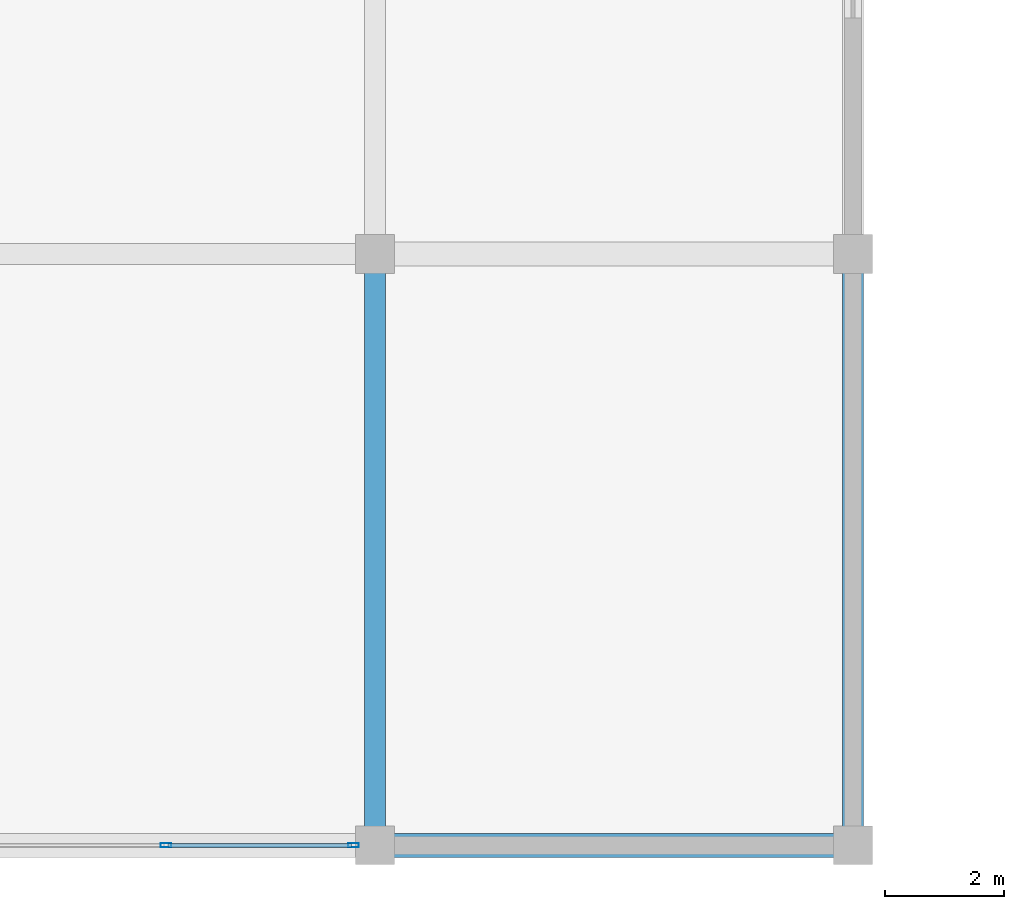
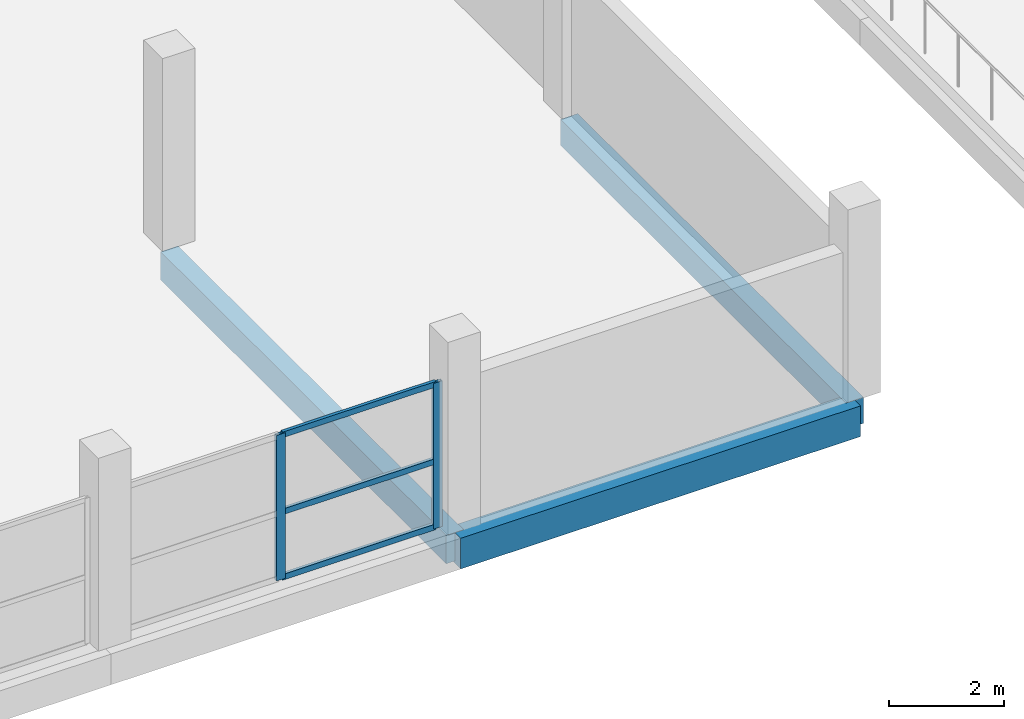
# One storey, part 4 of 53: 5 members, 3 beams, 1 element without a shape of its own.
"""IFC4 building model written with IfcOpenShell, lengths in metres."""

from ifc_helpers import new_model, si_unit, direction, frame, origin, origin_2d, place, context, subcontext, project, spatial, rectangle, hollow_rectangle, extrude, material, layer, layer_set, material_profile, profile_set, type_object, element, aggregate, save


model = new_model("IFC4")

# Units and contexts
model_context = context("Model", 3, precision=1e-05, world=origin(), true_north=direction((0.0, 1.0)))
body_context = subcontext(model_context, "Body", "Model", "MODEL_VIEW")
ifc_project = project(units=[si_unit("LENGTHUNIT", "METRE"), si_unit("AREAUNIT", "SQUARE_METRE"), si_unit("VOLUMEUNIT", "CUBIC_METRE"), si_unit("PLANEANGLEUNIT", "RADIAN"), si_unit("MASSUNIT", "GRAM", prefix="KILO")], contexts=[model_context])

# Site, building, storey
site_placement = place(None, origin())
site = spatial("IfcSite", under=ifc_project, at=site_placement, CompositionType="ELEMENT")
building_placement = place(site_placement, origin())
building = spatial("IfcBuilding", under=site, at=building_placement, Name="Sillaruma Civic Art Gallery", CompositionType="ELEMENT")
storey_placement = place(building_placement, frame((0.0, 0.0, 70.3798828125)))
storey = spatial("IfcBuildingStorey", under=building, at=storey_placement, Name="L14", CompositionType="ELEMENT", Elevation=70.3798828125)

# Beams
ifc_material_1 = material(Name="Concrete H35 (35 MPa)", Category="concrete")
ifc_material_profile_1 = material_profile(ifc_material_1, rectangle(XDim=0.35009765625, YDim=0.60009765625, at=origin_2d()), Name="RCB350x600")
ifc_profile_set_1 = profile_set([ifc_material_profile_1], Name="Concrete H35 (35 MPa)")
beam_type_1 = type_object("IfcBeamType", Name="BM-BEAM-RCB350x600", PredefinedType="BEAM", material=ifc_profile_set_1)
beam_1_placement = place(storey_placement, frame((84.0, 19.800048828125, -0.5498046875), z_axis=(0.0, 1.0, 0.0), x_axis=(-1.0, 0.0, 0.0)))
element("IfcBeam", 1, at=beam_1_placement, inside=storey, type_object=beam_type_1, Name="Beam BM-06 (L13:J:3-4)", PredefinedType="BEAM", context=body_context, shape_type="SweptSolid", body=[
    extrude(rectangle(XDim=0.35009765625, YDim=0.60009765625, at=origin_2d()), origin(), (0.0, 0.0, 1.0), 9.89990234375),
])
ifc_material_profile_2 = material_profile(ifc_material_1, rectangle(XDim=0.35009765625, YDim=0.550048828125, at=origin_2d()), Name="RCB350x550")
ifc_profile_set_2 = profile_set([ifc_material_profile_2], Name="Concrete H35 (35 MPa)")
beam_type_2 = type_object("IfcBeamType", Name="BM-SPANDREL-RCB350x550", PredefinedType="SPANDREL", material=ifc_profile_set_2)
beam_2_placement = place(storey_placement, frame((92.0, 19.800048828125, -0.52490234375), z_axis=(0.0, 1.0, 0.0), x_axis=(-1.0, 0.0, 0.0)))
element("IfcBeam", 2, at=beam_2_placement, inside=storey, type_object=beam_type_2, Name="Beam BS-04 (L13:K:3-4)", PredefinedType="SPANDREL", context=body_context, shape_type="SweptSolid", body=[
    extrude(rectangle(XDim=0.35009765625, YDim=0.550048828125, at=origin_2d()), origin(), (0.0, 0.0, 1.0), 9.89990234375),
])
ifc_material_profile_3 = material_profile(ifc_material_1, rectangle(XDim=0.39990234375, YDim=0.64990234375, at=origin_2d()), Name="RCB400x650")
ifc_profile_set_3 = profile_set([ifc_material_profile_3], Name="Concrete H35 (35 MPa)")
beam_type_3 = type_object("IfcBeamType", Name="BM-SPANDREL-RCB400x650", PredefinedType="SPANDREL", material=ifc_profile_set_3)
beam_3_placement = place(storey_placement, frame((84.0, 19.800048828125, -0.574951171875), z_axis=(1.0, 0.0, 0.0), x_axis=(0.0, 1.0, 0.0)))
element("IfcBeam", 3, at=beam_3_placement, inside=storey, type_object=beam_type_3, Name="Beam BS-02 (L13:3:J-K)", PredefinedType="SPANDREL", context=body_context, shape_type="SweptSolid", body=[
    extrude(rectangle(XDim=0.39990234375, YDim=0.64990234375, at=origin_2d()), origin(), (0.0, 0.0, 1.0), 8.0),
])

# Curtain wall, members
ifc_material_2 = material(Name="Thermally Broken Extruded Aluminium 6063-T6", Category="aluminium")
ifc_layer = layer(ifc_material_2, 0.179931640625, Name="Thermally Broken Extruded Aluminium 6063-T6")
ifc_layer_set = layer_set([ifc_layer], Name="Thermally Broken Extruded Aluminium 6063-T6")
curtain_wall_type = type_object("IfcCurtainWallType", Name="CW-UNI-109", PredefinedType="NOTDEFINED", material=ifc_layer_set)
curtain_wall_placement = place(storey_placement, origin())
curtain_wall = element("IfcCurtainWall", 4, at=curtain_wall_placement, inside=storey, type_object=curtain_wall_type, Name="Unitised Curtain Wall CW-109 (CW-L14-WBS-3)", PredefinedType="NOTDEFINED")
ifc_material_profile_4 = material_profile(ifc_material_2, hollow_rectangle(XDim=0.070068359375, YDim=0.179931640625, WallThickness=0.00390625, at=origin_2d()), Name="CWM70x180")
ifc_profile_set_4 = profile_set([ifc_material_profile_4], Name="Thermally Broken Extruded Aluminium 6063-T6")
member_type_1 = type_object("IfcMemberType", Name="MEM-MUL-CWM70x180", PredefinedType="MULLION", material=ifc_profile_set_4)
member_1_placement = place(storey_placement, frame((80.5, 19.800048828125, 0.0), z_axis=(0.0, 0.0, 1.0), x_axis=(0.0, 1.0, 0.0)))
member_1 = element("IfcMember", 5, at=member_1_placement, type_object=member_type_1, Name="CW-109 mullion 2", PredefinedType="MULLION", context=body_context, shape_type="SweptSolid", body=[
    extrude(hollow_rectangle(XDim=0.070068359375, YDim=0.179931640625, WallThickness=0.00390625, at=origin_2d()), origin(), (0.0, 0.0, 1.0), 3.080078125),
])
member_2_placement = place(storey_placement, frame((83.639892578125, 19.800048828125, 0.0), z_axis=(0.0, 0.0, 1.0), x_axis=(0.0, 1.0, 0.0)))
member_2 = element("IfcMember", 6, at=member_2_placement, type_object=member_type_1, Name="CW-109 mullion 3", PredefinedType="MULLION", context=body_context, shape_type="SweptSolid", body=[
    extrude(hollow_rectangle(XDim=0.070068359375, YDim=0.179931640625, WallThickness=0.00390625, at=origin_2d()), origin(), (0.0, 0.0, 1.0), 3.080078125),
])
ifc_material_profile_5 = material_profile(ifc_material_2, hollow_rectangle(XDim=0.06494140625, YDim=0.1201171875, WallThickness=0.00341796875, at=origin_2d()), Name="CWT65x120")
ifc_profile_set_5 = profile_set([ifc_material_profile_5], Name="Thermally Broken Extruded Aluminium 6063-T6")
member_type_2 = type_object("IfcMemberType", Name="MEM-TRN-CWT65x120", PredefinedType="USERDEFINED", material=ifc_profile_set_5)
member_3_placement = place(storey_placement, frame((80.534912109375, 19.800048828125, 0.03271484375), z_axis=(1.0, 0.0, 0.0), x_axis=(0.0, 1.0, 0.0)))
member_3 = element("IfcMember", 7, at=member_3_placement, type_object=member_type_2, Name="CW-109 transom 2.1", ObjectType="TRANSOM", PredefinedType="USERDEFINED", context=body_context, shape_type="SweptSolid", body=[
    extrude(hollow_rectangle(XDim=0.06494140625, YDim=0.1201171875, WallThickness=0.00341796875, at=origin_2d()), origin(), (0.0, 0.0, 1.0), 3.070068359375),
])
member_4_placement = place(storey_placement, frame((80.534912109375, 19.800048828125, 1.4169921875), z_axis=(1.0, 0.0, 0.0), x_axis=(0.0, 1.0, 0.0)))
member_4 = element("IfcMember", 8, at=member_4_placement, type_object=member_type_2, Name="CW-109 transom 2.2", ObjectType="TRANSOM", PredefinedType="USERDEFINED", context=body_context, shape_type="SweptSolid", body=[
    extrude(hollow_rectangle(XDim=0.06494140625, YDim=0.1201171875, WallThickness=0.00341796875, at=origin_2d()), origin(), (0.0, 0.0, 1.0), 3.070068359375),
])
member_5_placement = place(storey_placement, frame((80.534912109375, 19.800048828125, 3.047607421875), z_axis=(1.0, 0.0, 0.0), x_axis=(0.0, 1.0, 0.0)))
member_5 = element("IfcMember", 9, at=member_5_placement, type_object=member_type_2, Name="CW-109 transom 2.3", ObjectType="TRANSOM", PredefinedType="USERDEFINED", context=body_context, shape_type="SweptSolid", body=[
    extrude(hollow_rectangle(XDim=0.06494140625, YDim=0.1201171875, WallThickness=0.00341796875, at=origin_2d()), origin(), (0.0, 0.0, 1.0), 3.070068359375),
])
aggregate(curtain_wall, [member_1, member_2, member_3, member_4, member_5])

save(model, "model.ifc")
